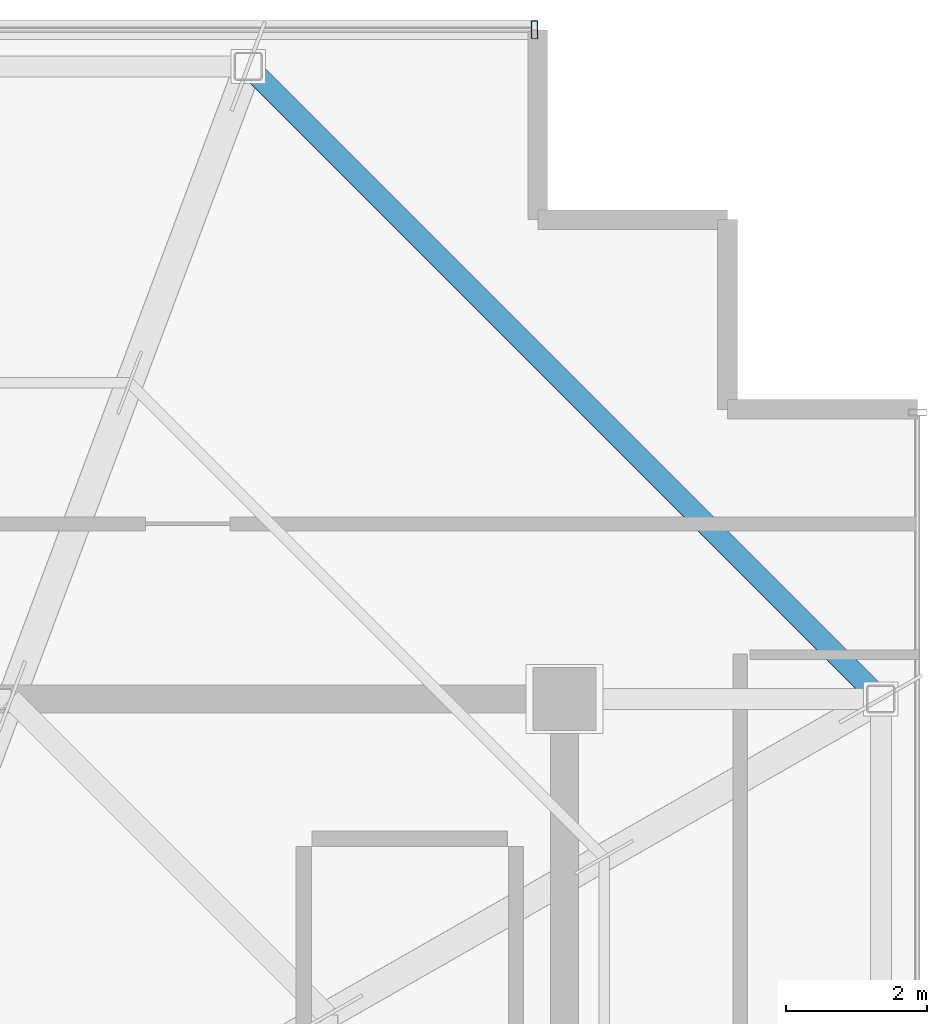
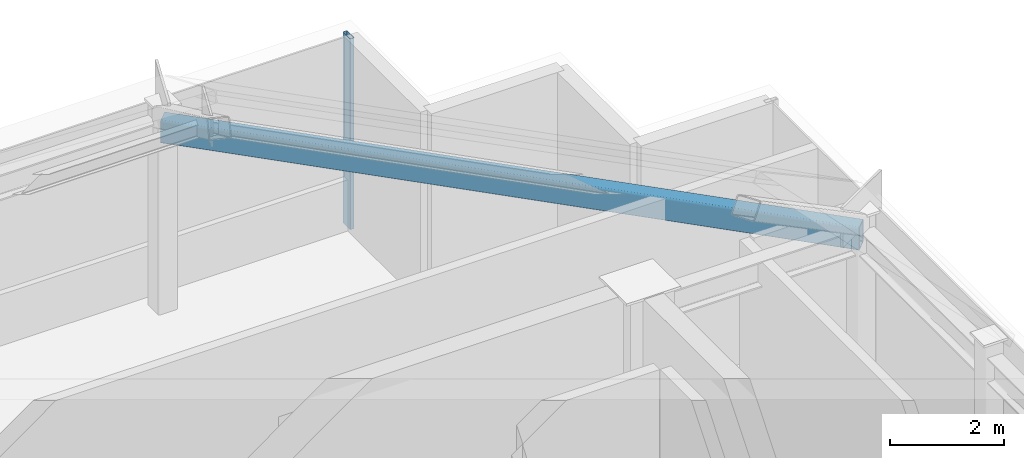
# One storey, part 13 of 17: 1 beam, 1 member, 1 element without a shape of its own.
"""IFC4 building model written with IfcOpenShell, lengths in metres."""

import ifcopenshell
import ifcopenshell.guid

model = None  # the IFC model being written
_history = None  # IfcOwnerHistory: only IFC2X3 demands one
_inside = {}  # id of a spatial element -> (the spatial element, [elements in it])
_under = {}  # id of a project, library or spatial element -> (it, [spatial elements below it])
_declared = {}  # id of a project -> (the project, [libraries it declares])
_typed = {}  # id of a type object -> (the type object, [elements of that type])
_made_of = {}  # id of a material, layer set ... -> (it, [elements and type objects made of it])


def new_model(schema):
    """Start an empty IFC model of exactly this schema.

    Asked for "IFC4X3", IfcOpenShell would pick the latest addendum, in which some entities
    have other attributes; the version numbers below select the first issue.
    IFC2X3 requires an IfcOwnerHistory on every rooted entity: one is made here for all.
    """
    global model, _history
    if schema == "IFC4X3":
        model = ifcopenshell.file(schema_version=(4, 3, 0, 0))
    else:
        model = ifcopenshell.file(schema=schema)
    _inside.clear()
    _under.clear()
    _declared.clear()
    _typed.clear()
    _made_of.clear()
    _history = None
    if model.schema == "IFC2X3":
        org = make("IfcOrganization", Name="unknown")
        user = make(
            "IfcPersonAndOrganization",
            ThePerson=make("IfcPerson", FamilyName="unknown"),
            TheOrganization=org,
        )
        app = make(
            "IfcApplication",
            ApplicationDeveloper=org,
            Version="unknown",
            ApplicationFullName="unknown",
            ApplicationIdentifier="unknown",
        )
        _history = make(
            "IfcOwnerHistory",
            OwningUser=user,
            OwningApplication=app,
            ChangeAction="ADDED",
            CreationDate=0,
        )
    return model


def make(cls, **values):
    """One entity of the class cls with the attributes given. An attribute that is None is left unset."""
    return model.create_entity(
        cls, **{name: value for name, value in values.items() if value is not None}
    )


def rooted(cls, **values):
    """An entity with a GlobalId (a new one), such as an element, a storey or a relation."""
    return make(cls, GlobalId=ifcopenshell.guid.new(), OwnerHistory=_history, **values)


def si_unit(unit_type, name, prefix=None):
    """IfcSIUnit, for example si_unit("LENGTHUNIT", "METRE", prefix="MILLI")."""
    return make("IfcSIUnit", UnitType=unit_type, Prefix=prefix, Name=name)


def assignment(units):
    """IfcUnitAssignment: the units of a project."""
    return None if units is None else make("IfcUnitAssignment", Units=units)


def point(xyz):
    """IfcCartesianPoint."""
    return None if xyz is None else make("IfcCartesianPoint", Coordinates=xyz)


def direction(xyz):
    """IfcDirection."""
    return None if xyz is None else make("IfcDirection", DirectionRatios=xyz)


def frame(location, z_axis=None, x_axis=None):
    """IfcAxis2Placement3D, a coordinate frame: its origin and axes. An axis left out is left unset."""
    return make(
        "IfcAxis2Placement3D",
        Location=point(location),
        Axis=direction(z_axis),
        RefDirection=direction(x_axis),
    )


def frame_2d(location, x_axis=None):
    """IfcAxis2Placement2D, a coordinate frame in the plane: its origin and x axis."""
    return make(
        "IfcAxis2Placement2D", Location=point(location), RefDirection=direction(x_axis)
    )


def origin():
    """The frame at (0, 0, 0) with its axes left unset."""
    return frame((0.0, 0.0, 0.0))


def origin_2d():
    """The frame at (0, 0) in the plane with its x axis left unset."""
    return frame_2d((0.0, 0.0))


def place(relative_to, where):
    """IfcLocalPlacement: puts the frame where relative to a parent placement (None: the world)."""
    return make(
        "IfcLocalPlacement", PlacementRelTo=relative_to, RelativePlacement=where
    )


def context(
    kind, dimensions, precision=None, world=None, true_north=None, identifier=None
):
    """IfcGeometricRepresentationContext, for example the 3D "Model" context."""
    return make(
        "IfcGeometricRepresentationContext",
        ContextIdentifier=identifier,
        ContextType=kind,
        CoordinateSpaceDimension=dimensions,
        Precision=precision,
        WorldCoordinateSystem=world,
        TrueNorth=true_north,
    )


def subcontext(parent, identifier, kind, view, scale=None):
    """IfcGeometricRepresentationSubContext, for example "Body" below "Model"."""
    return make(
        "IfcGeometricRepresentationSubContext",
        ContextIdentifier=identifier,
        ContextType=kind,
        ParentContext=parent,
        TargetScale=scale,
        TargetView=view,
    )


def project(units=None, contexts=None):
    """IfcProject with its units and contexts."""
    return rooted(
        "IfcProject",
        Name="project",
        RepresentationContexts=contexts,
        UnitsInContext=assignment(units),
    )


def spatial(cls, under=None, at=None, **own):
    """A site, building, storey or space (cls), placed at a placement, below another one or the project."""
    s = rooted(cls, ObjectPlacement=at, **own)
    if under is not None:
        _under.setdefault(under.id(), (under, []))[1].append(s)
    return s


def profile(cls, at=None, kind="AREA", **sizes):
    """A parametric profile (cls). Its sizes go by their IFC names, for example OverallWidth=200.0."""
    return make(cls, ProfileType=kind, Position=at, **sizes)


def hollow_rectangle(**sizes):
    """IfcRectangleHollowProfileDef."""
    return profile("IfcRectangleHollowProfileDef", **sizes)


def extrude(swept, where, along, depth):
    """IfcExtrudedAreaSolid: the profile swept, set in the frame where, extruded along a direction by depth."""
    return make(
        "IfcExtrudedAreaSolid",
        SweptArea=swept,
        Position=where,
        ExtrudedDirection=direction(along),
        Depth=depth,
    )


def shape(context_of_items, identifier, shape_type, items):
    """IfcShapeRepresentation: the items that make up one representation, for example the "Body"."""
    return make(
        "IfcShapeRepresentation",
        ContextOfItems=context_of_items,
        RepresentationIdentifier=identifier,
        RepresentationType=shape_type,
        Items=items,
    )


def source(mapping_origin, context_of_items, identifier, shape_type, items):
    """IfcRepresentationMap: a shape defined once, which mapped items show again and again."""
    return make(
        "IfcRepresentationMap",
        MappingOrigin=mapping_origin,
        MappedRepresentation=shape(context_of_items, identifier, shape_type, items),
    )


def transform(
    local_origin,
    x_axis=None,
    y_axis=None,
    z_axis=None,
    scale=None,
    scale2=None,
    scale3=None,
    uniform=True,
):
    """IfcCartesianTransformationOperator3D, or its non-uniform kind. x_axis, y_axis, z_axis: its Axis1, 2, 3."""
    if uniform:
        return make(
            "IfcCartesianTransformationOperator3D",
            Axis1=direction(x_axis),
            Axis2=direction(y_axis),
            LocalOrigin=point(local_origin),
            Scale=scale,
            Axis3=direction(z_axis),
        )
    return make(
        "IfcCartesianTransformationOperator3DnonUniform",
        Axis1=direction(x_axis),
        Axis2=direction(y_axis),
        LocalOrigin=point(local_origin),
        Scale=scale,
        Axis3=direction(z_axis),
        Scale2=scale2,
        Scale3=scale3,
    )


def mapped(mapping_source, mapping_target):
    """IfcMappedItem: shows the shape of a source again, moved by a transform."""
    return make(
        "IfcMappedItem", MappingSource=mapping_source, MappingTarget=mapping_target
    )


def material(Name=None, Category=None):
    """IfcMaterial."""
    return make("IfcMaterial", Name=Name, Category=Category)


def layer(
    of_material, thickness, ventilated=None, Name=None, Category=None, Priority=None
):
    """IfcMaterialLayer: one layer of a wall or slab, of a material (None: an air gap)."""
    return make(
        "IfcMaterialLayer",
        Material=of_material,
        LayerThickness=thickness,
        IsVentilated=ventilated,
        Name=Name,
        Category=Category,
        Priority=Priority,
    )


def layer_set(layers, Name=None):
    """IfcMaterialLayerSet."""
    return make("IfcMaterialLayerSet", MaterialLayers=layers, LayerSetName=Name)


def material_profile(
    of_material, cross_section, Name=None, Category=None, Priority=None
):
    """IfcMaterialProfile: a cross section and its material."""
    return make(
        "IfcMaterialProfile",
        Name=Name,
        Material=of_material,
        Profile=cross_section,
        Priority=Priority,
        Category=Category,
    )


def profile_set(profiles, Name=None, composite=None):
    """IfcMaterialProfileSet."""
    return make(
        "IfcMaterialProfileSet",
        Name=Name,
        MaterialProfiles=profiles,
        CompositeProfile=composite,
    )


def made_of(thing, what):
    """Note that an element or type object is made of a material, layer set ...; save() writes the relation."""
    if what is not None:
        _made_of.setdefault(what.id(), (what, []))[1].append(thing)
    return thing


def type_object(cls, material=None, **own):
    """A type object (cls), such as IfcWallType, which elements share."""
    return made_of(rooted(cls, **own), material)


def element(
    cls,
    number,
    at=None,
    inside=None,
    cuts=None,
    type_object=None,
    material=None,
    context=None,
    identifier="Body",
    shape_type=None,
    held_by="IfcProductDefinitionShape",
    body=None,
    shapes=None,
    **own,
):
    """One element of the class cls, such as IfcWall. Its Tag is "e" and its number.

    at: its placement. inside: the storey or other place that contains it. cuts: it is an
    opening in that element (IfcRelVoidsElement). A single representation is given by context,
    identifier, shape_type and body (its items); several are given by shapes. held_by: the class
    of the entity that holds the representations. save() writes the other relations.
    """
    e = rooted(cls, Tag="e%d" % number, ObjectPlacement=at, **own)
    if body is not None:
        shapes = [shape(context, identifier, shape_type, body)]
    if shapes is not None:
        e.Representation = make(held_by, Representations=shapes)
    if inside is not None:
        _inside.setdefault(inside.id(), (inside, []))[1].append(e)
    if cuts is not None:
        rooted(
            "IfcRelVoidsElement", RelatingBuildingElement=cuts, RelatedOpeningElement=e
        )
    if type_object is not None:
        _typed.setdefault(type_object.id(), (type_object, []))[1].append(e)
    return made_of(e, material)


def aggregate(whole, parts):
    """IfcRelAggregates: a whole, such as a stair, and the parts it consists of."""
    return rooted("IfcRelAggregates", RelatingObject=whole, RelatedObjects=parts)


def save(model, path):
    """Write the relations noted so far, then the file.

    IfcRelAggregates (storeys below a building ...), IfcRelContainedInSpatialStructure (elements
    in a storey), IfcRelDefinesByType, IfcRelAssociatesMaterial and IfcRelDeclares: one each for
    every whole, place, type object, material and project.
    """
    for whole, parts in _under.values():
        aggregate(whole, parts)
    for where, things in _inside.values():
        rooted(
            "IfcRelContainedInSpatialStructure",
            RelatedElements=things,
            RelatingStructure=where,
        )
    for kind, things in _typed.values():
        rooted("IfcRelDefinesByType", RelatedObjects=things, RelatingType=kind)
    for what, things in _made_of.values():
        rooted("IfcRelAssociatesMaterial", RelatedObjects=things, RelatingMaterial=what)
    for by, libraries in _declared.values():
        rooted("IfcRelDeclares", RelatingContext=by, RelatedDefinitions=libraries)
    model.write(path)


model = new_model("IFC4")

# Units and contexts
model_context = context("Model", 3, precision=1e-05, world=origin(), true_north=direction((0.0, 1.0)))
body_context = subcontext(model_context, "Body", "Model", "MODEL_VIEW")
ifc_project = project(units=[si_unit("LENGTHUNIT", "METRE"), si_unit("AREAUNIT", "SQUARE_METRE"), si_unit("VOLUMEUNIT", "CUBIC_METRE"), si_unit("PLANEANGLEUNIT", "RADIAN"), si_unit("MASSUNIT", "GRAM", prefix="KILO")], contexts=[model_context])

# Site, building, storey
site_placement = place(None, origin())
site = spatial("IfcSite", under=ifc_project, at=site_placement, CompositionType="ELEMENT")
building_placement = place(site_placement, origin())
building = spatial("IfcBuilding", under=site, at=building_placement, Name="Nefas-Gora Pilgrimage Tower", CompositionType="ELEMENT")
storey_placement = place(building_placement, frame((0.0, 0.0, 367.39990234375)))
storey = spatial("IfcBuildingStorey", under=building, at=storey_placement, Name="L92", CompositionType="ELEMENT", Elevation=367.39990234375)

# Beam
ifc_material_1 = material(Name="Steel S460", Category="steel")
ifc_material_profile_1 = material_profile(ifc_material_1, hollow_rectangle(XDim=0.300048828125, YDim=0.5, WallThickness=0.02001953125, InnerFilletRadius=0.02001953125, OuterFilletRadius=0.0400390625, at=origin_2d()), Name="RHS 500x300x20")
ifc_profile_set_1 = profile_set([ifc_material_profile_1], Name="Steel S460")
beam_type = type_object("IfcBeamType", Name="BM-RING-RHS500", PredefinedType="SPANDREL", material=ifc_profile_set_1)
shared_shape_1 = source(origin(), body_context, "Body", "SweptSolid", [
    extrude(hollow_rectangle(XDim=0.300048828125, YDim=0.5, WallThickness=0.02001953125, InnerFilletRadius=0.02001953125, OuterFilletRadius=0.0400390625, at=origin_2d()), origin(), (0.0, 0.0, 1.0), 12.72802734375),
])
beam_placement = place(storey_placement, frame((15.75, 9.0, 3.85009765625), z_axis=(-0.707106781187, 0.707106781187, 0.0), x_axis=(-0.707106781187, -0.707106781187, 0.0)))
element("IfcBeam", 1, at=beam_placement, inside=storey, type_object=beam_type, Name="CROWN FRAME Base Ring Beam 2", PredefinedType="SPANDREL", context=body_context, shape_type="MappedRepresentation", body=[
    mapped(shared_shape_1, transform((0.0, 0.0, 0.0), x_axis=(1.0, 0.0, 0.0), y_axis=(0.0, 1.0, 0.0), z_axis=(0.0, 0.0, 1.0), scale=1.0)),
])

# Curtain wall, member
ifc_material_2 = material(Name="Dark ceramic-fritted solar-control aluminium-glass curtain wall", Category="aluminium")
ifc_layer = layer(ifc_material_2, 0.219970703125)
ifc_layer_set = layer_set([ifc_layer], Name="Dark ceramic-fritted solar-control aluminium-glass curtain wall")
curtain_wall_type = type_object("IfcCurtainWallType", Name="CW-SYS-6", PredefinedType="NOTDEFINED", material=ifc_layer_set)
curtain_wall_placement = place(storey_placement, origin())
curtain_wall = element("IfcCurtainWall", 2, at=curtain_wall_placement, inside=storey, type_object=curtain_wall_type, Name="L92 Unitised Curtain Wall CW6", PredefinedType="NOTDEFINED")
ifc_material_3 = material(Name="Anodised architectural aluminium", Category="aluminium")
ifc_material_profile_2 = material_profile(ifc_material_3, hollow_rectangle(XDim=0.090087890625, YDim=0.260009765625, WallThickness=0.006103515625, InnerFilletRadius=0.006103515625, OuterFilletRadius=0.011962890625, at=origin_2d()), Name="ALU MULLION 90x260")
ifc_profile_set_2 = profile_set([ifc_material_profile_2], Name="Anodised architectural aluminium")
member_type = type_object("IfcMemberType", Name="CWM-MUL-6", PredefinedType="MULLION", material=ifc_profile_set_2)
shared_shape_2 = source(origin(), body_context, "Body", "SweptSolid", [
    extrude(hollow_rectangle(XDim=0.090087890625, YDim=0.260009765625, WallThickness=0.006103515625, InnerFilletRadius=0.006103515625, OuterFilletRadius=0.011962890625, at=origin_2d()), origin(), (0.0, 0.0, 1.0), 4.10009765625),
])
member_placement = place(storey_placement, frame((10.824951171875, 18.52001953125, 0.0), z_axis=(0.0, 0.0, 1.0), x_axis=(-1.0, 0.0, 0.0)))
member = element("IfcMember", 3, at=member_placement, type_object=member_type, Name="CW6 Mullion 1", PredefinedType="MULLION", context=body_context, shape_type="MappedRepresentation", body=[
    mapped(shared_shape_2, transform((0.0, 0.0, 0.0), x_axis=(1.0, 0.0, 0.0), y_axis=(0.0, 1.0, 0.0), z_axis=(0.0, 0.0, 1.0), scale=1.0)),
])
aggregate(curtain_wall, [member])

save(model, "model.ifc")
